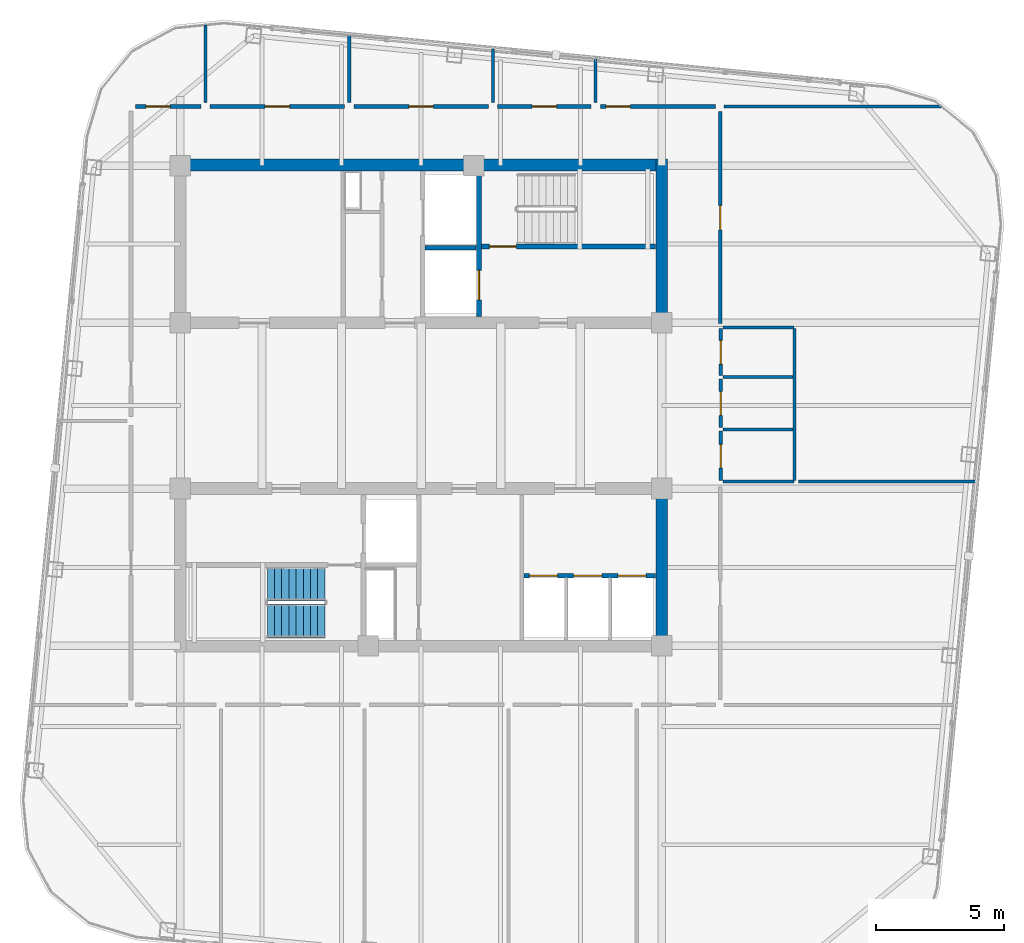
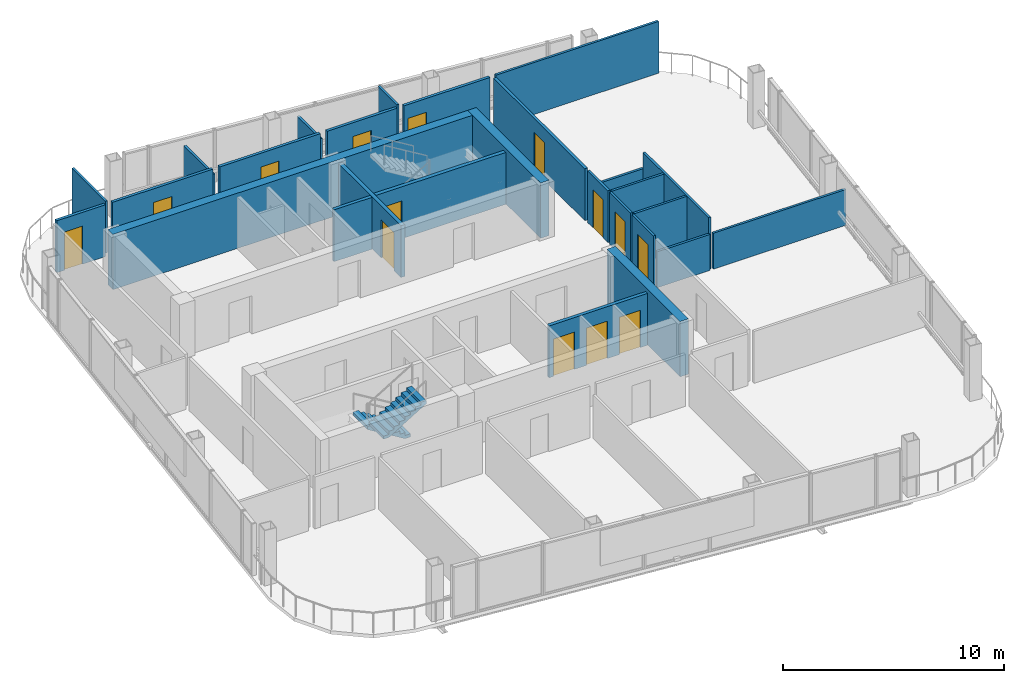
# One storey, part 22 of 27: 27 walls, 14 doors, 2 stair flights, 14 openings, 1 element without a shape of its own.
"""IFC4 building model written with IfcOpenShell, lengths in metres."""

from ifc_helpers import new_model, si_unit, direction, frame, frame_2d, origin, place, context, subcontext, project, spatial, polyline, rectangle, outline, extrude, material, layer, layer_set, type_object, element, fill, aggregate, save


model = new_model("IFC4")

# Units and contexts
model_context = context("Model", 3, precision=1e-05, world=origin(), true_north=direction((0.0, 1.0)))
body_context = subcontext(model_context, "Body", "Model", "MODEL_VIEW")
ifc_project = project(units=[si_unit("LENGTHUNIT", "METRE"), si_unit("AREAUNIT", "SQUARE_METRE"), si_unit("VOLUMEUNIT", "CUBIC_METRE"), si_unit("PLANEANGLEUNIT", "RADIAN"), si_unit("MASSUNIT", "GRAM", prefix="KILO")], contexts=[model_context])

# Site, building, storey
site_placement = place(None, origin())
site = spatial("IfcSite", under=ifc_project, at=site_placement, CompositionType="ELEMENT")
building_placement = place(site_placement, origin())
building = spatial("IfcBuilding", under=site, at=building_placement, Name="Qhalaya Broadcast Tower", CompositionType="ELEMENT")
storey_placement = place(building_placement, frame((0.0, 0.0, 258.10009765625)))
storey = spatial("IfcBuildingStorey", under=building, at=storey_placement, Name="L76", CompositionType="ELEMENT", Elevation=258.10009765625)

# Wall, opening, door
ifc_material_1 = material(Name="Gypsum Acoustic Partition")
ifc_layer_1 = layer(ifc_material_1, 0.14990234375, Name="Gypsum Acoustic Partition")
ifc_layer_set_1 = layer_set([ifc_layer_1], Name="Gypsum Acoustic Partition")
wall_type_1 = type_object("IfcWallType", Name="Corridor & Tenancy Acoustic Partition 150", PredefinedType="PARTITIONING", material=ifc_layer_set_1)
wall_1_placement = place(storey_placement, frame((-11.1201171875, 12.25, 0.0), z_axis=(0.0, 0.0, 1.0), x_axis=(1.0, 0.0, 0.0)))
wall_1 = element("IfcWall", 1, at=wall_1_placement, inside=storey, type_object=wall_type_1, Name="L76 Partition Wall W-COR-01", PredefinedType="PARTITIONING", context=body_context, shape_type="SweptSolid", body=[
    extrude(rectangle(XDim=2.5400390625, YDim=0.14990234375, at=frame_2d((1.27001953125, 0.0))), origin(), (0.0, 0.0, 1.0), 2.85986328125),
])
opening_1_placement = place(wall_1_placement, frame((0.39501953125, 0.0, 0.0)))
opening_1 = element("IfcOpeningElement", 2, at=opening_1_placement, cuts=wall_1, Name="Opening D10", PredefinedType="OPENING", context=body_context, shape_type="SweptSolid", body=[
    extrude(rectangle(XDim=0.949951171875, YDim=2.10009765625, at=frame_2d((0.47509765625, 1.050048828125))), frame((0.0, 0.0869140625, 0.0), z_axis=(0.0, -1.0, 0.0), x_axis=(1.0, 0.0, 0.0)), (0.0, 0.0, 1.0), 0.173828125),
])
ifc_material_2 = material(Name="Timber Veneer Acoustic Door", Category="wood")
door_type_1 = type_object("IfcDoorType", Name="Cellular Office & Edit Booth Door D10", OperationType="NOTDEFINED", PredefinedType="DOOR", material=ifc_material_2)
door_1_placement = place(opening_1_placement, origin())
door_1 = element("IfcDoor", 3, at=door_1_placement, inside=storey, type_object=door_type_1, Name="L76 Door D-RM01", OperationType="SINGLE_SWING_RIGHT", OverallHeight=2.10009765625, OverallWidth=0.949951171875, PredefinedType="DOOR", context=body_context, shape_type="SweptSolid", body=[
    extrude(rectangle(XDim=0.949951171875, YDim=2.10009765625, at=frame_2d((0.47509765625, 1.050048828125))), frame((0.0, 0.02490234375, 0.0), z_axis=(0.0, -1.0, 0.0), x_axis=(1.0, 0.0, 0.0)), (0.0, 0.0, 1.0), 0.050048828125),
])
fill(opening_1, door_1)

wall_2_placement = place(storey_placement, frame((-8.219970703125, 12.25, 0.0), z_axis=(0.0, 0.0, 1.0), x_axis=(1.0, 0.0, 0.0)))
wall_2 = element("IfcWall", 4, at=wall_2_placement, inside=storey, type_object=wall_type_1, Name="L76 Partition Wall W-COR-02", PredefinedType="PARTITIONING", context=body_context, shape_type="SweptSolid", body=[
    extrude(rectangle(XDim=5.239990234375, YDim=0.14990234375, at=frame_2d((2.6201171875, 0.0))), origin(), (0.0, 0.0, 1.0), 2.85986328125),
])
opening_2_placement = place(wall_2_placement, frame((2.14501953125, 0.0, 0.0)))
opening_2 = element("IfcOpeningElement", 5, at=opening_2_placement, cuts=wall_2, Name="Opening D10", PredefinedType="OPENING", context=body_context, shape_type="SweptSolid", body=[
    extrude(rectangle(XDim=0.949951171875, YDim=2.10009765625, at=frame_2d((0.47509765625, 1.050048828125))), frame((0.0, 0.0869140625, 0.0), z_axis=(0.0, -1.0, 0.0), x_axis=(1.0, 0.0, 0.0)), (0.0, 0.0, 1.0), 0.173828125),
])
door_2_placement = place(opening_2_placement, origin())
door_2 = element("IfcDoor", 6, at=door_2_placement, inside=storey, type_object=door_type_1, Name="L76 Door D-RM02", OperationType="SINGLE_SWING_LEFT", OverallHeight=2.10009765625, OverallWidth=0.949951171875, PredefinedType="DOOR", context=body_context, shape_type="SweptSolid", body=[
    extrude(rectangle(XDim=0.949951171875, YDim=2.10009765625, at=frame_2d((0.47509765625, 1.050048828125))), frame((0.0, 0.02490234375, 0.0), z_axis=(0.0, -1.0, 0.0), x_axis=(1.0, 0.0, 0.0)), (0.0, 0.0, 1.0), 0.050048828125),
])
fill(opening_2, door_2)

wall_3_placement = place(storey_placement, frame((-2.6201171875, 12.25, 0.0), z_axis=(0.0, 0.0, 1.0), x_axis=(1.0, 0.0, 0.0)))
wall_3 = element("IfcWall", 7, at=wall_3_placement, inside=storey, type_object=wall_type_1, Name="L76 Partition Wall W-COR-03", PredefinedType="PARTITIONING", context=body_context, shape_type="SweptSolid", body=[
    extrude(rectangle(XDim=5.240234375, YDim=0.14990234375, at=frame_2d((2.6201171875, 0.0))), origin(), (0.0, 0.0, 1.0), 2.85986328125),
])
opening_3_placement = place(wall_3_placement, frame((2.14501953125, 0.0, 0.0)))
opening_3 = element("IfcOpeningElement", 8, at=opening_3_placement, cuts=wall_3, Name="Opening D10", PredefinedType="OPENING", context=body_context, shape_type="SweptSolid", body=[
    extrude(rectangle(XDim=0.949951171875, YDim=2.10009765625, at=frame_2d((0.47509765625, 1.050048828125))), frame((0.0, 0.0869140625, 0.0), z_axis=(0.0, -1.0, 0.0), x_axis=(1.0, 0.0, 0.0)), (0.0, 0.0, 1.0), 0.173828125),
])
door_3_placement = place(opening_3_placement, origin())
door_3 = element("IfcDoor", 9, at=door_3_placement, inside=storey, type_object=door_type_1, Name="L76 Door D-RM03", OperationType="SINGLE_SWING_RIGHT", OverallHeight=2.10009765625, OverallWidth=0.949951171875, PredefinedType="DOOR", context=body_context, shape_type="SweptSolid", body=[
    extrude(rectangle(XDim=0.949951171875, YDim=2.10009765625, at=frame_2d((0.47509765625, 1.050048828125))), frame((0.0, 0.02490234375, 0.0), z_axis=(0.0, -1.0, 0.0), x_axis=(1.0, 0.0, 0.0)), (0.0, 0.0, 1.0), 0.050048828125),
])
fill(opening_3, door_3)

wall_4_placement = place(storey_placement, frame((2.97998046875, 12.25, 0.0), z_axis=(0.0, 0.0, 1.0), x_axis=(1.0, 0.0, 0.0)))
wall_4 = element("IfcWall", 10, at=wall_4_placement, inside=storey, type_object=wall_type_1, Name="L76 Partition Wall W-COR-04", PredefinedType="PARTITIONING", context=body_context, shape_type="SweptSolid", body=[
    extrude(rectangle(XDim=3.64013671875, YDim=0.14990234375, at=frame_2d((1.820068359375, 0.0))), origin(), (0.0, 0.0, 1.0), 2.85986328125),
])
opening_4_placement = place(wall_4_placement, frame((1.344970703125, 0.0, 0.0)))
opening_4 = element("IfcOpeningElement", 11, at=opening_4_placement, cuts=wall_4, Name="Opening D10", PredefinedType="OPENING", context=body_context, shape_type="SweptSolid", body=[
    extrude(rectangle(XDim=0.949951171875, YDim=2.10009765625, at=frame_2d((0.47509765625, 1.050048828125))), frame((0.0, 0.0869140625, 0.0), z_axis=(0.0, -1.0, 0.0), x_axis=(1.0, 0.0, 0.0)), (0.0, 0.0, 1.0), 0.173828125),
])
door_4_placement = place(opening_4_placement, origin())
door_4 = element("IfcDoor", 12, at=door_4_placement, inside=storey, type_object=door_type_1, Name="L76 Door D-RM04", OperationType="SINGLE_SWING_LEFT", OverallHeight=2.10009765625, OverallWidth=0.949951171875, PredefinedType="DOOR", context=body_context, shape_type="SweptSolid", body=[
    extrude(rectangle(XDim=0.949951171875, YDim=2.10009765625, at=frame_2d((0.47509765625, 1.050048828125))), frame((0.0, 0.02490234375, 0.0), z_axis=(0.0, -1.0, 0.0), x_axis=(1.0, 0.0, 0.0)), (0.0, 0.0, 1.0), 0.050048828125),
])
fill(opening_4, door_4)

wall_5_placement = place(storey_placement, frame((6.97998046875, 12.25, 0.0), z_axis=(0.0, 0.0, 1.0), x_axis=(1.0, 0.0, 0.0)))
wall_5 = element("IfcWall", 13, at=wall_5_placement, inside=storey, type_object=wall_type_1, Name="L76 Partition Wall W-COR-05", PredefinedType="PARTITIONING", context=body_context, shape_type="SweptSolid", body=[
    extrude(rectangle(XDim=4.489990234375, YDim=0.14990234375, at=frame_2d((2.2451171875, 0.0))), origin(), (0.0, 0.0, 1.0), 2.85986328125),
])
opening_5_placement = place(wall_5_placement, frame((0.219970703125, 0.0, 0.0)))
opening_5 = element("IfcOpeningElement", 14, at=opening_5_placement, cuts=wall_5, Name="Opening D10", PredefinedType="OPENING", context=body_context, shape_type="SweptSolid", body=[
    extrude(rectangle(XDim=0.949951171875, YDim=2.10009765625, at=frame_2d((0.47509765625, 1.050048828125))), frame((0.0, 0.0869140625, 0.0), z_axis=(0.0, -1.0, 0.0), x_axis=(1.0, 0.0, 0.0)), (0.0, 0.0, 1.0), 0.173828125),
])
door_5_placement = place(opening_5_placement, origin())
door_5 = element("IfcDoor", 15, at=door_5_placement, inside=storey, type_object=door_type_1, Name="L76 Door D-RM05", OperationType="SINGLE_SWING_RIGHT", OverallHeight=2.10009765625, OverallWidth=0.949951171875, PredefinedType="DOOR", context=body_context, shape_type="SweptSolid", body=[
    extrude(rectangle(XDim=0.949951171875, YDim=2.10009765625, at=frame_2d((0.47509765625, 1.050048828125))), frame((0.0, 0.02490234375, 0.0), z_axis=(0.0, -1.0, 0.0), x_axis=(1.0, 0.0, 0.0)), (0.0, 0.0, 1.0), 0.050048828125),
])
fill(opening_5, door_5)

wall_6_placement = place(storey_placement, frame((11.64990234375, 3.800048828125, 0.0), z_axis=(0.0, 0.0, 1.0), x_axis=(0.0, 1.0, 0.0)))
wall_6 = element("IfcWall", 16, at=wall_6_placement, inside=storey, type_object=wall_type_1, Name="L76 Partition Wall W-COR-14", PredefinedType="PARTITIONING", context=body_context, shape_type="SweptSolid", body=[
    extrude(rectangle(XDim=8.25, YDim=0.14990234375, at=frame_2d((4.125, 0.0))), origin(), (0.0, 0.0, 1.0), 2.85986328125),
])
opening_6_placement = place(wall_6_placement, frame((3.64990234375, 0.0, 0.0)))
opening_6 = element("IfcOpeningElement", 17, at=opening_6_placement, cuts=wall_6, Name="Opening D10", PredefinedType="OPENING", context=body_context, shape_type="SweptSolid", body=[
    extrude(rectangle(XDim=0.949951171875, YDim=2.10009765625, at=frame_2d((0.47509765625, 1.050048828125))), frame((0.0, 0.0869140625, 0.0), z_axis=(0.0, -1.0, 0.0), x_axis=(1.0, 0.0, 0.0)), (0.0, 0.0, 1.0), 0.173828125),
])
door_6_placement = place(opening_6_placement, origin())
door_6 = element("IfcDoor", 18, at=door_6_placement, inside=storey, type_object=door_type_1, Name="L76 Door D-RM14", OperationType="SINGLE_SWING_LEFT", OverallHeight=2.10009765625, OverallWidth=0.949951171875, PredefinedType="DOOR", context=body_context, shape_type="SweptSolid", body=[
    extrude(rectangle(XDim=0.949951171875, YDim=2.10009765625, at=frame_2d((0.47509765625, 1.050048828125))), frame((0.0, 0.02490234375, 0.0), z_axis=(0.0, -1.0, 0.0), x_axis=(1.0, 0.0, 0.0)), (0.0, 0.0, 1.0), 0.050048828125),
])
fill(opening_6, door_6)

ifc_material_3 = material(Name="Concrete C50/60", Category="concrete")
ifc_layer_2 = layer(ifc_material_3, 0.199951171875, Name="Concrete C50/60")
ifc_layer_set_2 = layer_set([ifc_layer_2], Name="Concrete C50/60")
wall_type_2 = type_object("IfcWallType", Name="Load-Bearing Stair Shaft Wall 200", PredefinedType="SHEAR", material=ifc_layer_set_2)
wall_7_placement = place(storey_placement, frame((2.360107421875, 6.804931640625, 0.0), z_axis=(0.0, 0.0, 1.0), x_axis=(1.0, 0.0, 0.0)))
wall_7 = element("IfcWall", 19, at=wall_7_placement, inside=storey, type_object=wall_type_2, Name="L76 Stair Core Shear Wall NCW-ST1", PredefinedType="SHEAR", context=body_context, shape_type="SweptSolid", body=[
    extrude(rectangle(XDim=6.769775390625, YDim=0.199951171875, at=frame_2d((3.384765625, 0.0))), origin(), (0.0, 0.0, 1.0), 2.85986328125),
])
opening_7_placement = place(wall_7_placement, frame((0.300048828125, 0.0, 0.0)))
opening_7 = element("IfcOpeningElement", 20, at=opening_7_placement, cuts=wall_7, Name="Opening D03", PredefinedType="OPENING", context=body_context, shape_type="SweptSolid", body=[
    extrude(rectangle(XDim=1.050048828125, YDim=2.080078125, at=frame_2d((0.52490234375, 1.0400390625))), frame((0.0, 0.112060546875, 0.0), z_axis=(0.0, -1.0, 0.0), x_axis=(1.0, 0.0, 0.0)), (0.0, 0.0, 1.0), 0.223876953125),
])
ifc_material_4 = material(Name="Fire-Rated Steel Door", Category="steel")
door_type_2 = type_object("IfcDoorType", Name="Core Stair Protected Fire Door D03", OperationType="NOTDEFINED", PredefinedType="DOOR", material=ifc_material_4)
door_7_placement = place(opening_7_placement, origin())
door_7 = element("IfcDoor", 21, at=door_7_placement, inside=storey, type_object=door_type_2, Name="L76 Door D-NST1", OperationType="SINGLE_SWING_LEFT", OverallHeight=2.080078125, OverallWidth=1.050048828125, PredefinedType="DOOR", context=body_context, shape_type="SweptSolid", body=[
    extrude(rectangle(XDim=1.050048828125, YDim=2.080078125, at=frame_2d((0.52490234375, 1.0400390625))), frame((0.0, 0.02490234375, 0.0), z_axis=(0.0, -1.0, 0.0), x_axis=(1.0, 0.0, 0.0)), (0.0, 0.0, 1.0), 0.050048828125),
])
fill(opening_7, door_7)

wall_8_placement = place(storey_placement, frame((2.25, 4.070068359375, 0.0), z_axis=(0.0, 0.0, 1.0), x_axis=(0.0, 1.0, 0.0)))
wall_8 = element("IfcWall", 22, at=wall_8_placement, inside=storey, type_object=wall_type_2, Name="L76 Stair Core Shear Wall NCW-FF", PredefinedType="SHEAR", context=body_context, shape_type="SweptSolid", body=[
    extrude(rectangle(XDim=5.659912109375, YDim=0.199951171875, at=frame_2d((2.830078125, 0.0))), origin(), (0.0, 0.0, 1.0), 2.85986328125),
])
opening_8_placement = place(wall_8_placement, frame((0.64990234375, 0.0, 0.0)))
opening_8 = element("IfcOpeningElement", 23, at=opening_8_placement, cuts=wall_8, Name="Opening LD2", PredefinedType="OPENING", context=body_context, shape_type="SweptSolid", body=[
    extrude(rectangle(XDim=1.14990234375, YDim=2.080078125, at=frame_2d((0.574951171875, 1.0400390625))), frame((0.0, 0.112060546875, 0.0), z_axis=(0.0, -1.0, 0.0), x_axis=(1.0, 0.0, 0.0)), (0.0, 0.0, 1.0), 0.223876953125),
])
ifc_material_5 = material(Name="Brushed Stainless Steel Lift Door", Category="steel")
door_type_3 = type_object("IfcDoorType", Name="Firefighting Lift Sliding Landing Door LD2", OperationType="DOUBLE_DOOR_SLIDING", PredefinedType="DOOR", material=ifc_material_5)
door_8_placement = place(opening_8_placement, origin())
door_8 = element("IfcDoor", 24, at=door_8_placement, inside=storey, type_object=door_type_3, Name="L76 Door LD-FF1", OperationType="DOUBLE_DOOR_SLIDING", OverallHeight=2.080078125, OverallWidth=1.14990234375, PredefinedType="DOOR", context=body_context, shape_type="SweptSolid", body=[
    extrude(rectangle(XDim=1.14990234375, YDim=2.080078125, at=frame_2d((0.574951171875, 1.0400390625))), frame((0.0, 0.02490234375, 0.0), z_axis=(0.0, -1.0, 0.0), x_axis=(1.0, 0.0, 0.0)), (0.0, 0.0, 1.0), 0.050048828125),
])
fill(opening_8, door_8)

ifc_layer_3 = layer(ifc_material_1, 0.1201171875, Name="Gypsum Acoustic Partition")
ifc_layer_set_3 = layer_set([ifc_layer_3], Name="Gypsum Acoustic Partition")
wall_type_3 = type_object("IfcWallType", Name="Office, Booth & Sanitary Partition 120", PredefinedType="PARTITIONING", material=ifc_layer_set_3)
wall_9_placement = place(storey_placement, frame((11.669921875, -2.320068359375, 0.0), z_axis=(0.0, 0.0, 1.0), x_axis=(0.0, 1.0, 0.0)))
wall_9 = element("IfcWall", 25, at=wall_9_placement, inside=storey, type_object=wall_type_3, Name="L76 Partition Wall W-WCWA", PredefinedType="PARTITIONING", context=body_context, shape_type="SweptSolid", body=[
    extrude(rectangle(XDim=1.940185546875, YDim=0.1201171875, at=frame_2d((0.97021484375, 0.0))), origin(), (0.0, 0.0, 1.0), 2.85986328125),
])
opening_9_placement = place(wall_9_placement, frame((0.4951171875, 0.0, 0.0)))
opening_9 = element("IfcOpeningElement", 26, at=opening_9_placement, cuts=wall_9, Name="Opening D12", PredefinedType="OPENING", context=body_context, shape_type="SweptSolid", body=[
    extrude(rectangle(XDim=0.919921875, YDim=2.10009765625, at=frame_2d((0.4599609375, 1.050048828125))), frame((0.0, 0.072021484375, 0.0), z_axis=(0.0, -1.0, 0.0), x_axis=(1.0, 0.0, 0.0)), (0.0, 0.0, 1.0), 0.14404296875),
])
door_type_4 = type_object("IfcDoorType", Name="Accessible WC & Restroom Door D12", OperationType="NOTDEFINED", PredefinedType="DOOR", material=ifc_material_2)
door_9_placement = place(opening_9_placement, origin())
door_9 = element("IfcDoor", 27, at=door_9_placement, inside=storey, type_object=door_type_4, Name="L76 Door D-WCA", OperationType="SINGLE_SWING_LEFT", OverallHeight=2.10009765625, OverallWidth=0.919921875, PredefinedType="DOOR", context=body_context, shape_type="SweptSolid", body=[
    extrude(rectangle(XDim=0.919921875, YDim=2.10009765625, at=frame_2d((0.4599609375, 1.050048828125))), frame((0.0, 0.02490234375, 0.0), z_axis=(0.0, -1.0, 0.0), x_axis=(1.0, 0.0, 0.0)), (0.0, 0.0, 1.0), 0.050048828125),
])
fill(opening_9, door_9)

wall_10_placement = place(storey_placement, frame((11.669921875, -0.25, 0.0), z_axis=(0.0, 0.0, 1.0), x_axis=(0.0, 1.0, 0.0)))
wall_10 = element("IfcWall", 28, at=wall_10_placement, inside=storey, type_object=wall_type_3, Name="L76 Partition Wall W-WCWM", PredefinedType="PARTITIONING", context=body_context, shape_type="SweptSolid", body=[
    extrude(rectangle(XDim=1.89990234375, YDim=0.1201171875, at=frame_2d((0.949951171875, 0.0))), origin(), (0.0, 0.0, 1.0), 2.85986328125),
])
opening_10_placement = place(wall_10_placement, frame((0.47509765625, 0.0, 0.0)))
opening_10 = element("IfcOpeningElement", 29, at=opening_10_placement, cuts=wall_10, Name="Opening D12", PredefinedType="OPENING", context=body_context, shape_type="SweptSolid", body=[
    extrude(rectangle(XDim=0.919921875, YDim=2.10009765625, at=frame_2d((0.4599609375, 1.050048828125))), frame((0.0, 0.072021484375, 0.0), z_axis=(0.0, -1.0, 0.0), x_axis=(1.0, 0.0, 0.0)), (0.0, 0.0, 1.0), 0.14404296875),
])
door_10_placement = place(opening_10_placement, origin())
door_10 = element("IfcDoor", 30, at=door_10_placement, inside=storey, type_object=door_type_4, Name="L76 Door D-WCM", OperationType="SINGLE_SWING_RIGHT", OverallHeight=2.10009765625, OverallWidth=0.919921875, PredefinedType="DOOR", context=body_context, shape_type="SweptSolid", body=[
    extrude(rectangle(XDim=0.919921875, YDim=2.10009765625, at=frame_2d((0.4599609375, 1.050048828125))), frame((0.0, 0.02490234375, 0.0), z_axis=(0.0, -1.0, 0.0), x_axis=(1.0, 0.0, 0.0)), (0.0, 0.0, 1.0), 0.050048828125),
])
fill(opening_10, door_10)

wall_11_placement = place(storey_placement, frame((11.669921875, 1.780029296875, 0.0), z_axis=(0.0, 0.0, 1.0), x_axis=(0.0, 1.0, 0.0)))
wall_11 = element("IfcWall", 31, at=wall_11_placement, inside=storey, type_object=wall_type_3, Name="L76 Partition Wall W-WCWF", PredefinedType="PARTITIONING", context=body_context, shape_type="SweptSolid", body=[
    extrude(rectangle(XDim=1.830078125, YDim=0.1201171875, at=frame_2d((0.9150390625, 0.0))), origin(), (0.0, 0.0, 1.0), 2.85986328125),
])
opening_11_placement = place(wall_11_placement, frame((0.43994140625, 0.0, 0.0)))
opening_11 = element("IfcOpeningElement", 32, at=opening_11_placement, cuts=wall_11, Name="Opening D12", PredefinedType="OPENING", context=body_context, shape_type="SweptSolid", body=[
    extrude(rectangle(XDim=0.919921875, YDim=2.10009765625, at=frame_2d((0.4599609375, 1.050048828125))), frame((0.0, 0.072021484375, 0.0), z_axis=(0.0, -1.0, 0.0), x_axis=(1.0, 0.0, 0.0)), (0.0, 0.0, 1.0), 0.14404296875),
])
door_11_placement = place(opening_11_placement, origin())
door_11 = element("IfcDoor", 33, at=door_11_placement, inside=storey, type_object=door_type_4, Name="L76 Door D-WCF", OperationType="SINGLE_SWING_LEFT", OverallHeight=2.10009765625, OverallWidth=0.919921875, PredefinedType="DOOR", context=body_context, shape_type="SweptSolid", body=[
    extrude(rectangle(XDim=0.919921875, YDim=2.10009765625, at=frame_2d((0.4599609375, 1.050048828125))), frame((0.0, 0.02490234375, 0.0), z_axis=(0.0, -1.0, 0.0), x_axis=(1.0, 0.0, 0.0)), (0.0, 0.0, 1.0), 0.050048828125),
])
fill(opening_11, door_11)

# Walls
wall_12_placement = place(storey_placement, frame((14.550048828125, -2.320068359375, 0.0), z_axis=(0.0, 0.0, 1.0), x_axis=(0.0, 1.0, 0.0)))
element("IfcWall", 34, at=wall_12_placement, inside=storey, type_object=wall_type_3, Name="L76 Partition Wall W-WCE", PredefinedType="PARTITIONING", context=body_context, shape_type="SweptSolid", body=[
    extrude(rectangle(XDim=5.93017578125, YDim=0.1201171875, at=frame_2d((2.965087890625, 0.0))), origin(), (0.0, 0.0, 1.0), 2.85986328125),
])
for number, where, z_axis, x_axis, name in (
    (35, (11.760009765625, -2.35009765625, 0.0), (0.0, 0.0, 1.0), (1.0, 0.0, 0.0), "L76 Partition Wall W-WCS"),
    (36, (11.760009765625, 3.639892578125, 0.0), (0.0, 0.0, 1.0), (1.0, 0.0, 0.0), "L76 Partition Wall W-WCN"),
):
    element("IfcWall", number, at=place(storey_placement, frame(where, z_axis=z_axis, x_axis=x_axis)), inside=storey, type_object=wall_type_3, Name=name, PredefinedType="PARTITIONING", context=body_context, shape_type="SweptSolid", body=[
        extrude(rectangle(XDim=2.760009765625, YDim=0.1201171875, at=frame_2d((1.3798828125, 0.0))), origin(), (0.0, 0.0, 1.0), 1.98095703125),
    ])
for number, where, z_axis, x_axis, name in (
    (37, (11.760009765625, -0.320068359375, 0.0), (0.0, 0.0, 1.0), (1.0, 0.0, 0.0), "L76 Partition Wall W-WCD1"),
    (38, (11.760009765625, 1.719970703125, 0.0), (0.0, 0.0, 1.0), (1.0, 0.0, 0.0), "L76 Partition Wall W-WCD2"),
):
    element("IfcWall", number, at=place(storey_placement, frame(where, z_axis=z_axis, x_axis=x_axis)), inside=storey, type_object=wall_type_3, Name=name, PredefinedType="PARTITIONING", context=body_context, shape_type="SweptSolid", body=[
        extrude(rectangle(XDim=2.719970703125, YDim=0.1201171875, at=frame_2d((1.35986328125, 0.0))), origin(), (0.0, 0.0, 1.0), 2.85986328125),
    ])
wall_13_placement = place(storey_placement, frame((11.7900390625, 12.25, 0.0), z_axis=(0.0, 0.0, 1.0), x_axis=(1.0, 0.0, 0.0)))
element("IfcWall", 39, at=wall_13_placement, inside=storey, type_object=wall_type_3, Name="L76 Partition Wall W-BNDE1", PredefinedType="PARTITIONING", context=body_context, shape_type="SweptSolid", body=[
    extrude(rectangle(XDim=8.484130859375, YDim=0.1201171875, at=frame_2d((4.2421875, 0.0))), origin(), (0.0, 0.0, 1.0), 2.85986328125),
])
wall_14_placement = place(storey_placement, frame((-8.39990234375, 12.409912109375, 0.0), z_axis=(0.0, 0.0, 1.0), x_axis=(0.0, 1.0, 0.0)))
element("IfcWall", 40, at=wall_14_placement, inside=storey, type_object=wall_type_3, Name="L76 Partition Wall W-DIVN1", PredefinedType="PARTITIONING", context=body_context, shape_type="SweptSolid", body=[
    extrude(rectangle(XDim=3.01953125, YDim=0.1201171875, at=frame_2d((1.509765625, 0.0))), origin(), (0.0, 0.0, 1.0), 2.85986328125),
])
wall_15_placement = place(storey_placement, frame((-2.800048828125, 12.409912109375, 0.0), z_axis=(0.0, 0.0, 1.0), x_axis=(0.0, 1.0, 0.0)))
element("IfcWall", 41, at=wall_15_placement, inside=storey, type_object=wall_type_3, Name="L76 Partition Wall W-DIVN2", PredefinedType="PARTITIONING", context=body_context, shape_type="SweptSolid", body=[
    extrude(rectangle(XDim=2.623291015625, YDim=0.1201171875, at=frame_2d((1.3115234375, 0.0))), origin(), (0.0, 0.0, 1.0), 2.380859375),
])
wall_16_placement = place(storey_placement, frame((2.800048828125, 12.409912109375, 0.0), z_axis=(0.0, 0.0, 1.0), x_axis=(0.0, 1.0, 0.0)))
element("IfcWall", 42, at=wall_16_placement, inside=storey, type_object=wall_type_3, Name="L76 Partition Wall W-DIVN3", PredefinedType="PARTITIONING", context=body_context, shape_type="SweptSolid", body=[
    extrude(rectangle(XDim=2.083984375, YDim=0.1201171875, at=frame_2d((1.0419921875, 0.0))), origin(), (0.0, 0.0, 1.0), 2.380859375),
])
wall_17_placement = place(storey_placement, frame((6.800048828125, 12.409912109375, 0.0), z_axis=(0.0, 0.0, 1.0), x_axis=(0.0, 1.0, 0.0)))
element("IfcWall", 43, at=wall_17_placement, inside=storey, type_object=wall_type_3, Name="L76 Partition Wall W-DIVN4", PredefinedType="PARTITIONING", context=body_context, shape_type="SweptSolid", body=[
    extrude(rectangle(XDim=1.698974609375, YDim=0.1201171875, at=frame_2d((0.849609375, 0.0))), origin(), (0.0, 0.0, 1.0), 2.85986328125),
])
wall_18_placement = place(storey_placement, frame((14.68994140625, -2.35009765625, 0.0), z_axis=(0.0, 0.0, 1.0), x_axis=(1.0, 0.0, 0.0)))
element("IfcWall", 44, at=wall_18_placement, inside=storey, type_object=wall_type_3, Name="L76 Partition Wall W-DIVE-WC", PredefinedType="PARTITIONING", context=body_context, shape_type="SweptSolid", body=[
    extrude(rectangle(XDim=6.92724609375, YDim=0.1201171875, at=frame_2d((3.463623046875, 0.0))), origin(), (0.0, 0.0, 1.0), 1.98095703125),
])
ifc_layer_4 = layer(ifc_material_1, 0.175048828125, Name="Gypsum Acoustic Partition")
ifc_layer_set_4 = layer_set([ifc_layer_4], Name="Gypsum Acoustic Partition")
wall_type_4 = type_object("IfcWallType", Name="Shaft & Riser Fire Partition 175", PredefinedType="PARTITIONING", material=ifc_layer_set_4)
wall_19_placement = place(storey_placement, frame((0.159912109375, 6.75, 0.0), z_axis=(0.0, 0.0, 1.0), x_axis=(1.0, 0.0, 0.0)))
element("IfcWall", 45, at=wall_19_placement, inside=storey, type_object=wall_type_4, Name="L76 Partition Wall NCW-SVM", PredefinedType="PARTITIONING", context=body_context, shape_type="SweptSolid", body=[
    extrude(rectangle(XDim=1.97998046875, YDim=0.175048828125, at=frame_2d((0.989990234375, 0.0))), origin(), (0.0, 0.0, 1.0), 2.85986328125),
])

# Wall, openings, doors
wall_20_placement = place(storey_placement, frame((4.0, -6.02001953125, 0.0), z_axis=(0.0, 0.0, 1.0), x_axis=(1.0, 0.0, 0.0)))
wall_20 = element("IfcWall", 46, at=wall_20_placement, inside=storey, type_object=wall_type_4, Name="L76 Partition Wall SCW-SLB", PredefinedType="PARTITIONING", context=body_context, shape_type="SweptSolid", body=[
    extrude(rectangle(XDim=5.1298828125, YDim=0.175048828125, at=frame_2d((2.56494140625, 0.0))), origin(), (0.0, 0.0, 1.0), 2.85986328125),
])
opening_12_placement = place(wall_20_placement, frame((0.219970703125, 0.0, 0.0)))
opening_12 = element("IfcOpeningElement", 47, at=opening_12_placement, cuts=wall_20, Name="Opening LD1", PredefinedType="OPENING", context=body_context, shape_type="SweptSolid", body=[
    extrude(rectangle(XDim=1.10009765625, YDim=2.06005859375, at=frame_2d((0.550048828125, 1.030029296875))), frame((0.0, 0.099609375, 0.0), z_axis=(0.0, -1.0, 0.0), x_axis=(1.0, 0.0, 0.0)), (0.0, 0.0, 1.0), 0.198974609375),
])
opening_13_placement = place(wall_20_placement, frame((1.93994140625, 0.0, 0.0)))
opening_13 = element("IfcOpeningElement", 48, at=opening_13_placement, cuts=wall_20, Name="Opening LD1", PredefinedType="OPENING", context=body_context, shape_type="SweptSolid", body=[
    extrude(rectangle(XDim=1.10009765625, YDim=2.06005859375, at=frame_2d((0.550048828125, 1.030029296875))), frame((0.0, 0.099609375, 0.0), z_axis=(0.0, -1.0, 0.0), x_axis=(1.0, 0.0, 0.0)), (0.0, 0.0, 1.0), 0.198974609375),
])
opening_14_placement = place(wall_20_placement, frame((3.659912109375, 0.0, 0.0)))
opening_14 = element("IfcOpeningElement", 49, at=opening_14_placement, cuts=wall_20, Name="Opening LD1", PredefinedType="OPENING", context=body_context, shape_type="SweptSolid", body=[
    extrude(rectangle(XDim=1.10009765625, YDim=2.06005859375, at=frame_2d((0.550048828125, 1.030029296875))), frame((0.0, 0.099609375, 0.0), z_axis=(0.0, -1.0, 0.0), x_axis=(1.0, 0.0, 0.0)), (0.0, 0.0, 1.0), 0.198974609375),
])
door_type_5 = type_object("IfcDoorType", Name="Passenger Lift Sliding Landing Door LD1", OperationType="DOUBLE_DOOR_SLIDING", PredefinedType="DOOR", material=ifc_material_5)
door_12_placement = place(opening_12_placement, origin())
door_12 = element("IfcDoor", 50, at=door_12_placement, inside=storey, type_object=door_type_5, Name="L76 Door LD-P6", OperationType="DOUBLE_DOOR_SLIDING", OverallHeight=2.06005859375, OverallWidth=1.10009765625, PredefinedType="DOOR", context=body_context, shape_type="SweptSolid", body=[
    extrude(rectangle(XDim=1.10009765625, YDim=2.06005859375, at=frame_2d((0.550048828125, 1.030029296875))), frame((0.0, 0.02490234375, 0.0), z_axis=(0.0, -1.0, 0.0), x_axis=(1.0, 0.0, 0.0)), (0.0, 0.0, 1.0), 0.050048828125),
])
fill(opening_12, door_12)
door_13_placement = place(opening_13_placement, origin())
door_13 = element("IfcDoor", 51, at=door_13_placement, inside=storey, type_object=door_type_5, Name="L76 Door LD-P7", OperationType="DOUBLE_DOOR_SLIDING", OverallHeight=2.06005859375, OverallWidth=1.10009765625, PredefinedType="DOOR", context=body_context, shape_type="SweptSolid", body=[
    extrude(rectangle(XDim=1.10009765625, YDim=2.06005859375, at=frame_2d((0.550048828125, 1.030029296875))), frame((0.0, 0.02490234375, 0.0), z_axis=(0.0, -1.0, 0.0), x_axis=(1.0, 0.0, 0.0)), (0.0, 0.0, 1.0), 0.050048828125),
])
fill(opening_13, door_13)
door_14_placement = place(opening_14_placement, origin())
door_14 = element("IfcDoor", 52, at=door_14_placement, inside=storey, type_object=door_type_5, Name="L76 Door LD-P8", OperationType="DOUBLE_DOOR_SLIDING", OverallHeight=2.06005859375, OverallWidth=1.10009765625, PredefinedType="DOOR", context=body_context, shape_type="SweptSolid", body=[
    extrude(rectangle(XDim=1.10009765625, YDim=2.06005859375, at=frame_2d((0.550048828125, 1.030029296875))), frame((0.0, 0.02490234375, 0.0), z_axis=(0.0, -1.0, 0.0), x_axis=(1.0, 0.0, 0.0)), (0.0, 0.0, 1.0), 0.050048828125),
])
fill(opening_14, door_14)

# Walls
ifc_layer_5 = layer(ifc_material_3, 0.449951171875, Name="Concrete C50/60")
ifc_layer_set_5 = layer_set([ifc_layer_5], Name="Concrete C50/60")
wall_type_5 = type_object("IfcWallType", Name="Upper Split-Core Shear Wall 450", PredefinedType="SHEAR", material=ifc_layer_set_5)
wall_21_placement = place(storey_placement, frame((-9.60009765625, 9.97509765625, 0.0), z_axis=(0.0, 0.0, 1.0), x_axis=(1.0, 0.0, 0.0)))
element("IfcWall", 53, at=wall_21_placement, inside=storey, type_object=wall_type_5, Name="L76 Split-Core Shear Wall CW-NN", PredefinedType="SHEAR", context=body_context, shape_type="SweptSolid", body=[
    extrude(rectangle(XDim=19.2001953125, YDim=0.449951171875, at=frame_2d((9.60009765625, 0.0))), origin(), (0.0, 0.0, 1.0), 3.0498046875),
])
wall_22_placement = place(storey_placement, frame((9.375, 3.60009765625, 0.0), z_axis=(0.0, 0.0, 1.0), x_axis=(0.0, 1.0, 0.0)))
element("IfcWall", 54, at=wall_22_placement, inside=storey, type_object=wall_type_5, Name="L76 Split-Core Shear Wall CW-NE", PredefinedType="SHEAR", context=body_context, shape_type="SweptSolid", body=[
    extrude(rectangle(XDim=6.599853515625, YDim=0.449951171875, at=frame_2d((3.2998046875, 0.0))), origin(), (0.0, 0.0, 1.0), 3.0498046875),
])
wall_23_placement = place(storey_placement, frame((9.375, -9.0, 0.0), z_axis=(0.0, 0.0, 1.0), x_axis=(0.0, 1.0, 0.0)))
element("IfcWall", 55, at=wall_23_placement, inside=storey, type_object=wall_type_5, Name="L76 Split-Core Shear Wall CW-SE", PredefinedType="SHEAR", context=body_context, shape_type="SweptSolid", body=[
    extrude(rectangle(XDim=6.60009765625, YDim=0.449951171875, at=frame_2d((3.300048828125, 0.0))), origin(), (0.0, 0.0, 1.0), 3.0498046875),
])

# Stair, stair flights
ifc_material_6 = material(Name="Concrete C40/50", Category="concrete")
stair_type = type_object("IfcStairType", Name="Protected Dogleg Core Stair 3150", PredefinedType="TWO_STRAIGHT_RUN_STAIR", material=ifc_material_6)
stair_placement = place(storey_placement, origin())
stair = element("IfcStair", 56, at=stair_placement, inside=storey, type_object=stair_type, Name="L76 South Core Exit Stair ST-2", PredefinedType="TWO_STRAIGHT_RUN_STAIR")
ifc_material_7 = material(Name="Precast Concrete C40/50", Category="concrete")
stair_flight_type = type_object("IfcStairFlightType", Name="Precast Concrete Stair Flight 3150", PredefinedType="STRAIGHT", material=ifc_material_7)
stair_flight_1_placement = place(storey_placement, frame((-3.75, -6.340087890625, 0.0), z_axis=(0.0, 0.0, 1.0), x_axis=(-1.0, 0.0, 0.0)))
stair_flight_1 = element("IfcStairFlight", 57, at=stair_flight_1_placement, type_object=stair_flight_type, Name="ST-2 flight 1", NumberOfRisers=9, NumberOfTreads=8, PredefinedType="STRAIGHT", RiserHeight=0.169444444, TreadLength=0.28, context=body_context, shape_type="SweptSolid", body=[
    extrude(outline(polyline([(0.0, 0.0), (0.0, 0.16943359375), (0.280029296875, 0.16943359375), (0.280029296875, 0.3388671875), (0.56005859375, 0.3388671875), (0.56005859375, 0.50830078125), (0.840087890625, 0.50830078125), (0.840087890625, 0.677734375), (1.1201171875, 0.677734375), (1.1201171875, 0.84716796875), (1.39990234375, 0.84716796875), (1.39990234375, 1.0166015625), (1.679931640625, 1.0166015625), (1.679931640625, 1.18603515625), (1.9599609375, 1.18603515625), (1.9599609375, 1.35546875), (2.239990234375, 1.35546875), (2.239990234375, 1.52490234375), (2.239990234375, 1.180419921875), (0.28955078125, 0.0), (0.0, 0.0)])), frame((0.0, 0.66015625, 0.0), z_axis=(0.0, -1.0, 0.0), x_axis=(1.0, 0.0, 0.0)), (0.0, 0.0, 1.0), 1.320068359375),
])
stair_flight_2_placement = place(storey_placement, frame((-5.989990234375, -7.780029296875, 1.52490234375), z_axis=(0.0, 0.0, 1.0), x_axis=(1.0, 0.0, 0.0)))
stair_flight_2 = element("IfcStairFlight", 58, at=stair_flight_2_placement, type_object=stair_flight_type, Name="ST-2 flight 2", NumberOfRisers=9, NumberOfTreads=8, PredefinedType="STRAIGHT", RiserHeight=0.169444444, TreadLength=0.28, context=body_context, shape_type="SweptSolid", body=[
    extrude(outline(polyline([(0.0, 0.0), (0.0, 0.16943359375), (0.280029296875, 0.16943359375), (0.280029296875, 0.3388671875), (0.56005859375, 0.3388671875), (0.56005859375, 0.50830078125), (0.840087890625, 0.50830078125), (0.840087890625, 0.677734375), (1.1201171875, 0.677734375), (1.1201171875, 0.84716796875), (1.39990234375, 0.84716796875), (1.39990234375, 1.0166015625), (1.679931640625, 1.0166015625), (1.679931640625, 1.18603515625), (1.9599609375, 1.18603515625), (1.9599609375, 1.35546875), (2.239990234375, 1.35546875), (2.239990234375, 1.52490234375), (2.239990234375, 1.180419921875), (0.28955078125, 0.0), (0.0, 0.0)])), frame((0.0, 0.66015625, 0.0), z_axis=(0.0, -1.0, 0.0), x_axis=(1.0, 0.0, 0.0)), (0.0, 0.0, 1.0), 1.320068359375),
])
aggregate(stair, [stair_flight_1, stair_flight_2])

save(model, "model.ifc")
